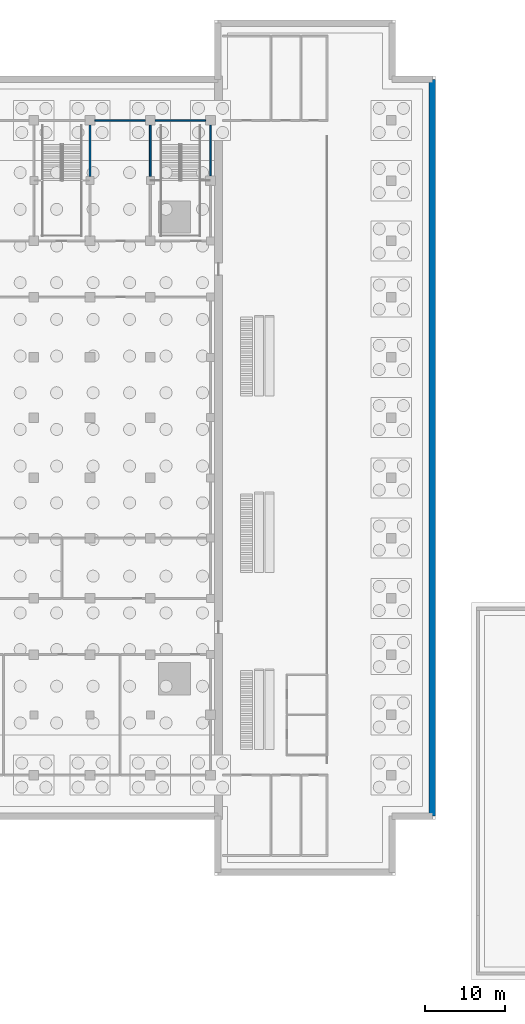
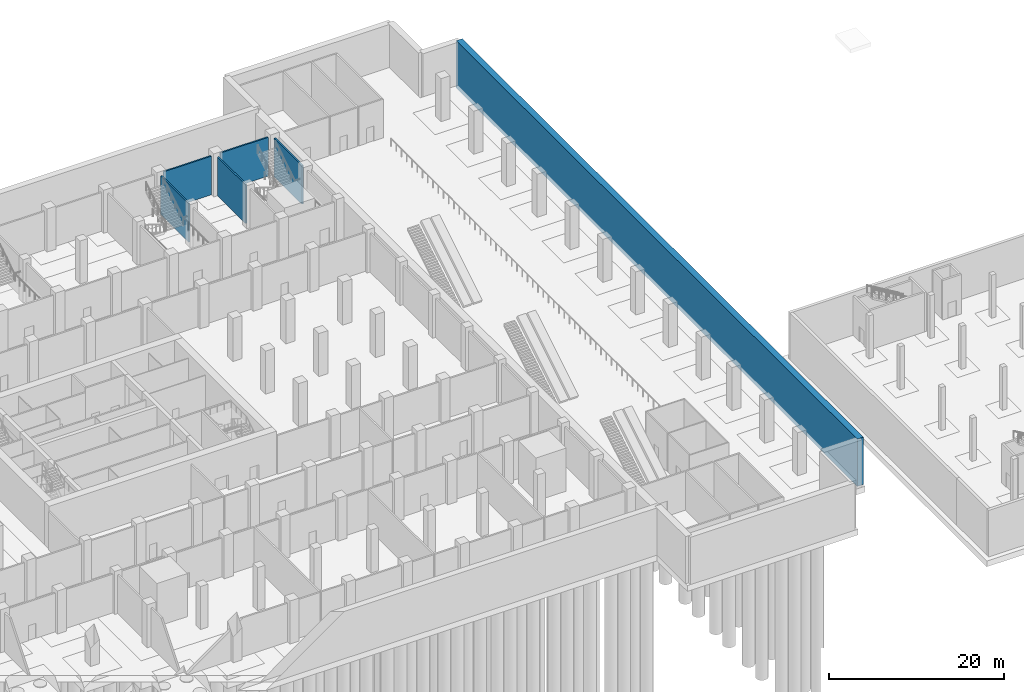
# One storey, part 14 of 39: 6 walls.
"""IFC4 building model written with IfcOpenShell, lengths in metres."""

from ifc_helpers import new_model, si_unit, direction, frame, frame_2d, origin, place, context, subcontext, project, spatial, rectangle, extrude, material, layer, layer_set, type_object, element, save


model = new_model("IFC4")

# Units and contexts
model_context = context("Model", 3, precision=1e-05, world=origin(), true_north=direction((0.0, 1.0)))
body_context = subcontext(model_context, "Body", "Model", "MODEL_VIEW")
ifc_project = project(units=[si_unit("LENGTHUNIT", "METRE"), si_unit("AREAUNIT", "SQUARE_METRE"), si_unit("VOLUMEUNIT", "CUBIC_METRE"), si_unit("PLANEANGLEUNIT", "RADIAN"), si_unit("MASSUNIT", "GRAM", prefix="KILO")], contexts=[model_context])

# Site, building, storey
site_placement = place(None, origin())
site = spatial("IfcSite", under=ifc_project, at=site_placement, CompositionType="ELEMENT")
building_placement = place(site_placement, origin())
building = spatial("IfcBuilding", under=site, at=building_placement, Name="Tamorin Gate", CompositionType="ELEMENT")
storey_placement = place(building_placement, frame((0.0, 0.0, -12.0)))
storey = spatial("IfcBuildingStorey", under=building, at=storey_placement, Name="B2", CompositionType="ELEMENT", Elevation=-12.0)

# Walls
ifc_material_1 = material(Name="Concrete masonry C20/25", Category="masonry")
ifc_layer_1 = layer(ifc_material_1, 0.199951171875)
ifc_layer_set_1 = layer_set([ifc_layer_1], Name="Plant room wall 200")
wall_type_1 = type_object("IfcWallType", Name="Plant room wall 200", PredefinedType="PARTITIONING", material=ifc_layer_set_1)
wall_1_placement = place(storey_placement, frame((75.10009765625, 112.0, 0.0), z_axis=(0.0, 0.0, 1.0), x_axis=(1.0, 0.0, 0.0)))
element("IfcWall", 1, at=wall_1_placement, inside=storey, type_object=wall_type_1, Name="Plant room wall 200 B2", PredefinedType="PARTITIONING", context=body_context, shape_type="SweptSolid", body=[
    extrude(rectangle(XDim=6.2998046875, YDim=0.199951171875, at=frame_2d((3.14990234375, 0.0))), origin(), (0.0, 0.0, 1.0), 5.39990234375),
])
ifc_material_2 = material(Name="Concrete C40/50", Category="concrete")
ifc_layer_2 = layer(ifc_material_2, 0.800048828125)
ifc_layer_set_2 = layer_set([ifc_layer_2], Name="RC basement wall 800 C40/50")
wall_type_2 = type_object("IfcWallType", Name="RC basement wall 800 C40/50", PredefinedType="SHEAR", material=ifc_layer_set_2)
wall_2_placement = place(storey_placement, frame((117.10009765625, 117.10009765625, -0.60009765625), z_axis=(0.0, 0.0, 1.0), x_axis=(0.0, -1.0, 0.0)))
element("IfcWall", 2, at=wall_2_placement, inside=storey, type_object=wall_type_2, Name="Basement wall B2", PredefinedType="SHEAR", context=body_context, shape_type="SweptSolid", body=[
    extrude(rectangle(XDim=91.7001953125, YDim=0.800048828125, at=frame_2d((45.85009765625, 0.0))), origin(), (0.0, 0.0, 1.0), 6.60009765625),
])
ifc_layer_3 = layer(ifc_material_2, 0.199951171875)
ifc_layer_set_3 = layer_set([ifc_layer_3], Name="Stair enclosure 200")
wall_type_3 = type_object("IfcWallType", Name="Stair enclosure 200", PredefinedType="SHEAR", material=ifc_layer_set_3)
wall_3_placement = place(storey_placement, frame((82.60009765625, 112.0, 0.0), z_axis=(0.0, 0.0, 1.0), x_axis=(1.0, 0.0, 0.0)))
element("IfcWall", 3, at=wall_3_placement, inside=storey, type_object=wall_type_3, Name="Stair enclosure 200 B2", PredefinedType="SHEAR", context=body_context, shape_type="SweptSolid", body=[
    extrude(rectangle(XDim=6.2998046875, YDim=0.199951171875, at=frame_2d((3.14990234375, 0.0))), origin(), (0.0, 0.0, 1.0), 5.39990234375),
])
for number, where, z_axis, x_axis, name in (
    (4, (74.5, 105.0, 0.0), (0.0, 0.0, 1.0), (0.0, 1.0, 0.0), "Stair enclosure 200 B2"),
    (5, (82.0, 105.0, 0.0), (0.0, 0.0, 1.0), (0.0, 1.0, 0.0), "Stair enclosure 200 B2"),
):
    element("IfcWall", number, at=place(storey_placement, frame(where, z_axis=z_axis, x_axis=x_axis)), inside=storey, type_object=wall_type_3, Name=name, PredefinedType="SHEAR", context=body_context, shape_type="SweptSolid", body=[
        extrude(rectangle(XDim=6.39990234375, YDim=0.199951171875, at=frame_2d((3.199951171875, 0.0))), origin(), (0.0, 0.0, 1.0), 5.39990234375),
    ])
wall_4_placement = place(storey_placement, frame((89.5, 105.10009765625, 0.0), z_axis=(0.0, 0.0, 1.0), x_axis=(0.0, 1.0, 0.0)))
element("IfcWall", 6, at=wall_4_placement, inside=storey, type_object=wall_type_3, Name="Stair enclosure 200 B2", PredefinedType="SHEAR", context=body_context, shape_type="SweptSolid", body=[
    extrude(rectangle(XDim=6.2998046875, YDim=0.199951171875, at=frame_2d((3.14990234375, 0.0))), origin(), (0.0, 0.0, 1.0), 5.39990234375),
])

save(model, "model.ifc")
